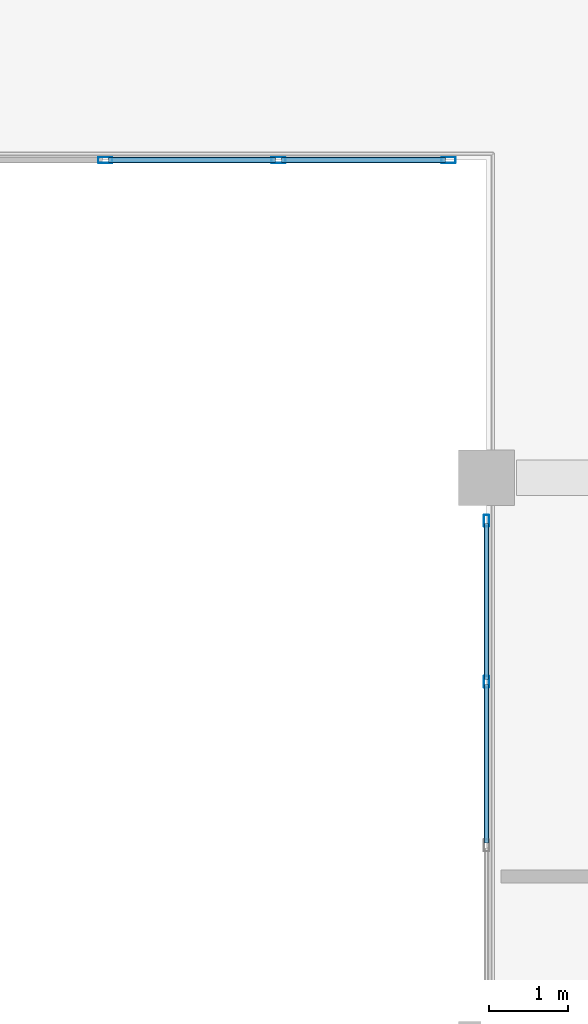
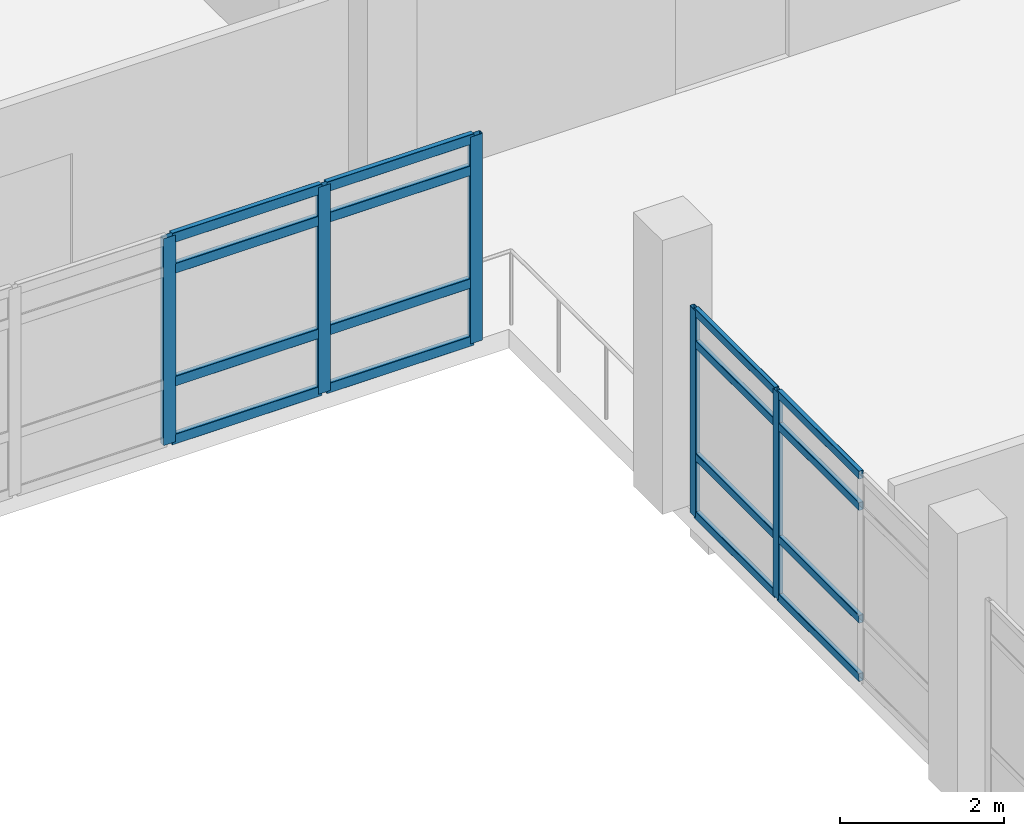
# One storey, part 47 of 134: 21 members, 2 elements without a shape of their own.
"""IFC4 building model written with IfcOpenShell, lengths in metres."""

from ifc_helpers import new_model, si_unit, direction, frame, origin, origin_2d, place, context, subcontext, project, spatial, hollow_rectangle, extrude, material, layer, layer_set, material_profile, profile_set, type_object, element, aggregate, save


model = new_model("IFC4")

# Units and contexts
model_context = context("Model", 3, precision=1e-05, world=origin(), true_north=direction((0.0, 1.0)))
body_context = subcontext(model_context, "Body", "Model", "MODEL_VIEW")
ifc_project = project(units=[si_unit("LENGTHUNIT", "METRE"), si_unit("AREAUNIT", "SQUARE_METRE"), si_unit("VOLUMEUNIT", "CUBIC_METRE"), si_unit("PLANEANGLEUNIT", "RADIAN"), si_unit("MASSUNIT", "GRAM", prefix="KILO")], contexts=[model_context])

# Site, building, storey
site_placement = place(None, origin())
site = spatial("IfcSite", under=ifc_project, at=site_placement, CompositionType="ELEMENT")
building_placement = place(site_placement, origin())
building = spatial("IfcBuilding", under=site, at=building_placement, Name="Asteropetra Specialist Clinic", CompositionType="ELEMENT")
storey_placement = place(building_placement, frame((0.0, 0.0, 8.5)))
storey = spatial("IfcBuildingStorey", under=building, at=storey_placement, Name="L02", CompositionType="ELEMENT", Elevation=8.5)

# Curtain wall, members
ifc_material_1 = material(Name="Aluminium and low-E glass", Category="aluminium")
ifc_layer_1 = layer(ifc_material_1, 0.135009765625)
ifc_layer_set_1 = layer_set([ifc_layer_1], Name="Aluminium and low-E glass")
curtain_wall_type_1 = type_object("IfcCurtainWallType", Name="CW-SYS-06", PredefinedType="USERDEFINED", material=ifc_layer_set_1)
curtain_wall_1_placement = place(storey_placement, origin())
curtain_wall_1 = element("IfcCurtainWall", 1, at=curtain_wall_1_placement, inside=storey, type_object=curtain_wall_type_1, Name="Curtain Wall CW-040", ObjectType="UNITISED CURTAIN WALL", PredefinedType="USERDEFINED")
ifc_material_2 = material(Name="Aluminium 6063-T6", Category="aluminium")
ifc_material_profile_1 = material_profile(ifc_material_2, hollow_rectangle(XDim=0.06494140625, YDim=0.14990234375, WallThickness=0.00390625, InnerFilletRadius=0.00390625, OuterFilletRadius=0.008056640625, at=origin_2d()), Name="MUL 150x65x4.0")
ifc_profile_set_1 = profile_set([ifc_material_profile_1], Name="Aluminium 6063-T6")
member_type_1 = type_object("IfcMemberType", Name="CWM-150x65", PredefinedType="MULLION", material=ifc_profile_set_1)
member_1_placement = place(storey_placement, frame((28.800048828125, 88.6298828125, 0.0), z_axis=(0.0, 0.0, 1.0), x_axis=(-1.0, 0.0, 0.0)))
member_1 = element("IfcMember", 2, at=member_1_placement, type_object=member_type_1, Name="CW-040 mullion 3", PredefinedType="MULLION", context=body_context, shape_type="SweptSolid", body=[
    extrude(hollow_rectangle(XDim=0.06494140625, YDim=0.14990234375, WallThickness=0.00390625, InnerFilletRadius=0.00390625, OuterFilletRadius=0.008056640625, at=origin_2d()), origin(), (0.0, 0.0, 1.0), 3.080078125),
])
member_2_placement = place(storey_placement, frame((28.800048828125, 90.657470703125, 0.0), z_axis=(0.0, 0.0, 1.0), x_axis=(-1.0, 0.0, 0.0)))
member_2 = element("IfcMember", 3, at=member_2_placement, type_object=member_type_1, Name="CW-040 mullion 4", PredefinedType="MULLION", context=body_context, shape_type="SweptSolid", body=[
    extrude(hollow_rectangle(XDim=0.06494140625, YDim=0.14990234375, WallThickness=0.00390625, InnerFilletRadius=0.00390625, OuterFilletRadius=0.008056640625, at=origin_2d()), origin(), (0.0, 0.0, 1.0), 3.080078125),
])

ifc_material_3 = material(Name="Aluminium and low-E glass", Category="aluminium")
ifc_layer_2 = layer(ifc_material_3, 0.179931640625)
ifc_layer_set_2 = layer_set([ifc_layer_2], Name="Aluminium and low-E glass")
curtain_wall_type_2 = type_object("IfcCurtainWallType", Name="CW-SYS-04", PredefinedType="USERDEFINED", material=ifc_layer_set_2)
curtain_wall_2_placement = place(storey_placement, origin())
curtain_wall_2 = element("IfcCurtainWall", 4, at=curtain_wall_2_placement, inside=storey, type_object=curtain_wall_type_2, Name="Curtain Wall CW-036", ObjectType="UNITISED CURTAIN WALL", PredefinedType="USERDEFINED")
ifc_material_4 = material(Name="Aluminium 6063-T6", Category="aluminium")
ifc_material_profile_2 = material_profile(ifc_material_4, hollow_rectangle(XDim=0.074951171875, YDim=0.179931640625, WallThickness=0.00390625, InnerFilletRadius=0.00390625, OuterFilletRadius=0.008056640625, at=origin_2d()), Name="MUL 180x75x4.0")
ifc_profile_set_2 = profile_set([ifc_material_profile_2], Name="Aluminium 6063-T6")
member_type_2 = type_object("IfcMemberType", Name="CWM-180x75", PredefinedType="MULLION", material=ifc_profile_set_2)
member_3_placement = place(storey_placement, frame((28.322509765625, 95.199951171875, 0.0), z_axis=(0.0, 0.0, 1.0), x_axis=(0.0, -1.0, 0.0)))
member_3 = element("IfcMember", 5, at=member_3_placement, type_object=member_type_2, Name="CW-036 mullion 1", PredefinedType="MULLION", context=body_context, shape_type="SweptSolid", body=[
    extrude(hollow_rectangle(XDim=0.074951171875, YDim=0.179931640625, WallThickness=0.00390625, InnerFilletRadius=0.00390625, OuterFilletRadius=0.008056640625, at=origin_2d()), origin(), (0.0, 0.0, 1.0), 3.080078125),
])
member_4_placement = place(storey_placement, frame((26.179931640625, 95.199951171875, 0.0), z_axis=(0.0, 0.0, 1.0), x_axis=(0.0, -1.0, 0.0)))
member_4 = element("IfcMember", 6, at=member_4_placement, type_object=member_type_2, Name="CW-036 mullion 2", PredefinedType="MULLION", context=body_context, shape_type="SweptSolid", body=[
    extrude(hollow_rectangle(XDim=0.074951171875, YDim=0.179931640625, WallThickness=0.00390625, InnerFilletRadius=0.00390625, OuterFilletRadius=0.008056640625, at=origin_2d()), origin(), (0.0, 0.0, 1.0), 3.080078125),
])
member_5_placement = place(storey_placement, frame((24.0, 95.199951171875, 0.0), z_axis=(0.0, 0.0, 1.0), x_axis=(0.0, -1.0, 0.0)))
member_5 = element("IfcMember", 7, at=member_5_placement, type_object=member_type_2, Name="CW-036 mullion 3", PredefinedType="MULLION", context=body_context, shape_type="SweptSolid", body=[
    extrude(hollow_rectangle(XDim=0.074951171875, YDim=0.179931640625, WallThickness=0.00390625, InnerFilletRadius=0.00390625, OuterFilletRadius=0.008056640625, at=origin_2d()), origin(), (0.0, 0.0, 1.0), 3.080078125),
])

# Member
ifc_material_5 = material(Name="Aluminium 6063-T6", Category="aluminium")
ifc_material_profile_3 = material_profile(ifc_material_5, hollow_rectangle(XDim=0.06494140625, YDim=0.1201171875, WallThickness=0.00390625, InnerFilletRadius=0.00390625, OuterFilletRadius=0.008056640625, at=origin_2d()), Name="TRN 120x65x4.0")
ifc_profile_set_3 = profile_set([ifc_material_profile_3], Name="Aluminium 6063-T6")
member_type_3 = type_object("IfcMemberType", Name="CWT-120x65", PredefinedType="USERDEFINED", material=ifc_profile_set_3)
member_6_placement = place(storey_placement, frame((28.800048828125, 86.6025390625, 0.032470703125), z_axis=(0.0, 1.0, 0.0), x_axis=(-1.0, 0.0, 0.0)))
member_6 = element("IfcMember", 8, at=member_6_placement, type_object=member_type_3, Name="CW-040 transom 2.1", ObjectType="TRANSOM", PredefinedType="USERDEFINED", context=body_context, shape_type="SweptSolid", body=[
    extrude(hollow_rectangle(XDim=0.06494140625, YDim=0.1201171875, WallThickness=0.00390625, InnerFilletRadius=0.00390625, OuterFilletRadius=0.008056640625, at=origin_2d()), origin(), (0.0, 0.0, 1.0), 1.994873046875),
])

member_7_placement = place(storey_placement, frame((28.800048828125, 86.6025390625, 0.89990234375), z_axis=(0.0, 1.0, 0.0), x_axis=(-1.0, 0.0, 0.0)))
member_7 = element("IfcMember", 9, at=member_7_placement, type_object=member_type_3, Name="CW-040 transom 2.2", ObjectType="TRANSOM", PredefinedType="USERDEFINED", context=body_context, shape_type="SweptSolid", body=[
    extrude(hollow_rectangle(XDim=0.06494140625, YDim=0.1201171875, WallThickness=0.00390625, InnerFilletRadius=0.00390625, OuterFilletRadius=0.008056640625, at=origin_2d()), origin(), (0.0, 0.0, 1.0), 1.994873046875),
])

member_8_placement = place(storey_placement, frame((28.800048828125, 86.6025390625, 2.580078125), z_axis=(0.0, 1.0, 0.0), x_axis=(-1.0, 0.0, 0.0)))
member_8 = element("IfcMember", 10, at=member_8_placement, type_object=member_type_3, Name="CW-040 transom 2.3", ObjectType="TRANSOM", PredefinedType="USERDEFINED", context=body_context, shape_type="SweptSolid", body=[
    extrude(hollow_rectangle(XDim=0.06494140625, YDim=0.1201171875, WallThickness=0.00390625, InnerFilletRadius=0.00390625, OuterFilletRadius=0.008056640625, at=origin_2d()), origin(), (0.0, 0.0, 1.0), 1.994873046875),
])

member_9_placement = place(storey_placement, frame((28.800048828125, 86.6025390625, 3.047607421875), z_axis=(0.0, 1.0, 0.0), x_axis=(-1.0, 0.0, 0.0)))
member_9 = element("IfcMember", 11, at=member_9_placement, type_object=member_type_3, Name="CW-040 transom 2.4", ObjectType="TRANSOM", PredefinedType="USERDEFINED", context=body_context, shape_type="SweptSolid", body=[
    extrude(hollow_rectangle(XDim=0.06494140625, YDim=0.1201171875, WallThickness=0.00390625, InnerFilletRadius=0.00390625, OuterFilletRadius=0.008056640625, at=origin_2d()), origin(), (0.0, 0.0, 1.0), 1.994873046875),
])

member_10_placement = place(storey_placement, frame((28.800048828125, 88.66259765625, 0.032470703125), z_axis=(0.0, 1.0, 0.0), x_axis=(-1.0, 0.0, 0.0)))
member_10 = element("IfcMember", 12, at=member_10_placement, type_object=member_type_3, Name="CW-040 transom 3.1", ObjectType="TRANSOM", PredefinedType="USERDEFINED", context=body_context, shape_type="SweptSolid", body=[
    extrude(hollow_rectangle(XDim=0.06494140625, YDim=0.1201171875, WallThickness=0.00390625, InnerFilletRadius=0.00390625, OuterFilletRadius=0.008056640625, at=origin_2d()), origin(), (0.0, 0.0, 1.0), 1.96240234375),
])

member_11_placement = place(storey_placement, frame((28.800048828125, 88.66259765625, 0.89990234375), z_axis=(0.0, 1.0, 0.0), x_axis=(-1.0, 0.0, 0.0)))
member_11 = element("IfcMember", 13, at=member_11_placement, type_object=member_type_3, Name="CW-040 transom 3.2", ObjectType="TRANSOM", PredefinedType="USERDEFINED", context=body_context, shape_type="SweptSolid", body=[
    extrude(hollow_rectangle(XDim=0.06494140625, YDim=0.1201171875, WallThickness=0.00390625, InnerFilletRadius=0.00390625, OuterFilletRadius=0.008056640625, at=origin_2d()), origin(), (0.0, 0.0, 1.0), 1.96240234375),
])

member_12_placement = place(storey_placement, frame((28.800048828125, 88.66259765625, 2.580078125), z_axis=(0.0, 1.0, 0.0), x_axis=(-1.0, 0.0, 0.0)))
member_12 = element("IfcMember", 14, at=member_12_placement, type_object=member_type_3, Name="CW-040 transom 3.3", ObjectType="TRANSOM", PredefinedType="USERDEFINED", context=body_context, shape_type="SweptSolid", body=[
    extrude(hollow_rectangle(XDim=0.06494140625, YDim=0.1201171875, WallThickness=0.00390625, InnerFilletRadius=0.00390625, OuterFilletRadius=0.008056640625, at=origin_2d()), origin(), (0.0, 0.0, 1.0), 1.96240234375),
])

member_13_placement = place(storey_placement, frame((28.800048828125, 88.66259765625, 3.047607421875), z_axis=(0.0, 1.0, 0.0), x_axis=(-1.0, 0.0, 0.0)))
member_13 = element("IfcMember", 15, at=member_13_placement, type_object=member_type_3, Name="CW-040 transom 3.4", ObjectType="TRANSOM", PredefinedType="USERDEFINED", context=body_context, shape_type="SweptSolid", body=[
    extrude(hollow_rectangle(XDim=0.06494140625, YDim=0.1201171875, WallThickness=0.00390625, InnerFilletRadius=0.00390625, OuterFilletRadius=0.008056640625, at=origin_2d()), origin(), (0.0, 0.0, 1.0), 1.96240234375),
])

aggregate(curtain_wall_1, [member_1, member_2, member_6, member_7, member_8, member_9, member_10, member_11, member_12, member_13])

ifc_material_6 = material(Name="Aluminium 6063-T6", Category="aluminium")
ifc_material_profile_4 = material_profile(ifc_material_6, hollow_rectangle(XDim=0.074951171875, YDim=0.14990234375, WallThickness=0.00390625, InnerFilletRadius=0.00390625, OuterFilletRadius=0.008056640625, at=origin_2d()), Name="TRN 150x75x4.0")
ifc_profile_set_4 = profile_set([ifc_material_profile_4], Name="Aluminium 6063-T6")
member_type_4 = type_object("IfcMemberType", Name="CWT-150x75", PredefinedType="USERDEFINED", material=ifc_profile_set_4)
member_14_placement = place(storey_placement, frame((28.284912109375, 95.199951171875, 0.03759765625), z_axis=(-1.0, 0.0, 0.0), x_axis=(0.0, -1.0, 0.0)))
member_14 = element("IfcMember", 16, at=member_14_placement, type_object=member_type_4, Name="CW-036 transom 1.1", ObjectType="TRANSOM", PredefinedType="USERDEFINED", context=body_context, shape_type="SweptSolid", body=[
    extrude(hollow_rectangle(XDim=0.074951171875, YDim=0.14990234375, WallThickness=0.00390625, InnerFilletRadius=0.00390625, OuterFilletRadius=0.008056640625, at=origin_2d()), origin(), (0.0, 0.0, 1.0), 2.0673828125),
])

member_15_placement = place(storey_placement, frame((28.284912109375, 95.199951171875, 0.89990234375), z_axis=(-1.0, 0.0, 0.0), x_axis=(0.0, -1.0, 0.0)))
member_15 = element("IfcMember", 17, at=member_15_placement, type_object=member_type_4, Name="CW-036 transom 1.2", ObjectType="TRANSOM", PredefinedType="USERDEFINED", context=body_context, shape_type="SweptSolid", body=[
    extrude(hollow_rectangle(XDim=0.074951171875, YDim=0.14990234375, WallThickness=0.00390625, InnerFilletRadius=0.00390625, OuterFilletRadius=0.008056640625, at=origin_2d()), origin(), (0.0, 0.0, 1.0), 2.0673828125),
])

member_16_placement = place(storey_placement, frame((28.284912109375, 95.199951171875, 2.580078125), z_axis=(-1.0, 0.0, 0.0), x_axis=(0.0, -1.0, 0.0)))
member_16 = element("IfcMember", 18, at=member_16_placement, type_object=member_type_4, Name="CW-036 transom 1.3", ObjectType="TRANSOM", PredefinedType="USERDEFINED", context=body_context, shape_type="SweptSolid", body=[
    extrude(hollow_rectangle(XDim=0.074951171875, YDim=0.14990234375, WallThickness=0.00390625, InnerFilletRadius=0.00390625, OuterFilletRadius=0.008056640625, at=origin_2d()), origin(), (0.0, 0.0, 1.0), 2.0673828125),
])

member_17_placement = place(storey_placement, frame((28.284912109375, 95.199951171875, 3.04248046875), z_axis=(-1.0, 0.0, 0.0), x_axis=(0.0, -1.0, 0.0)))
member_17 = element("IfcMember", 19, at=member_17_placement, type_object=member_type_4, Name="CW-036 transom 1.4", ObjectType="TRANSOM", PredefinedType="USERDEFINED", context=body_context, shape_type="SweptSolid", body=[
    extrude(hollow_rectangle(XDim=0.074951171875, YDim=0.14990234375, WallThickness=0.00390625, InnerFilletRadius=0.00390625, OuterFilletRadius=0.008056640625, at=origin_2d()), origin(), (0.0, 0.0, 1.0), 2.0673828125),
])

member_18_placement = place(storey_placement, frame((26.142578125, 95.199951171875, 0.03759765625), z_axis=(-1.0, 0.0, 0.0), x_axis=(0.0, -1.0, 0.0)))
member_18 = element("IfcMember", 20, at=member_18_placement, type_object=member_type_4, Name="CW-036 transom 2.1", ObjectType="TRANSOM", PredefinedType="USERDEFINED", context=body_context, shape_type="SweptSolid", body=[
    extrude(hollow_rectangle(XDim=0.074951171875, YDim=0.14990234375, WallThickness=0.00390625, InnerFilletRadius=0.00390625, OuterFilletRadius=0.008056640625, at=origin_2d()), origin(), (0.0, 0.0, 1.0), 2.10498046875),
])

member_19_placement = place(storey_placement, frame((26.142578125, 95.199951171875, 0.89990234375), z_axis=(-1.0, 0.0, 0.0), x_axis=(0.0, -1.0, 0.0)))
member_19 = element("IfcMember", 21, at=member_19_placement, type_object=member_type_4, Name="CW-036 transom 2.2", ObjectType="TRANSOM", PredefinedType="USERDEFINED", context=body_context, shape_type="SweptSolid", body=[
    extrude(hollow_rectangle(XDim=0.074951171875, YDim=0.14990234375, WallThickness=0.00390625, InnerFilletRadius=0.00390625, OuterFilletRadius=0.008056640625, at=origin_2d()), origin(), (0.0, 0.0, 1.0), 2.10498046875),
])

member_20_placement = place(storey_placement, frame((26.142578125, 95.199951171875, 2.580078125), z_axis=(-1.0, 0.0, 0.0), x_axis=(0.0, -1.0, 0.0)))
member_20 = element("IfcMember", 22, at=member_20_placement, type_object=member_type_4, Name="CW-036 transom 2.3", ObjectType="TRANSOM", PredefinedType="USERDEFINED", context=body_context, shape_type="SweptSolid", body=[
    extrude(hollow_rectangle(XDim=0.074951171875, YDim=0.14990234375, WallThickness=0.00390625, InnerFilletRadius=0.00390625, OuterFilletRadius=0.008056640625, at=origin_2d()), origin(), (0.0, 0.0, 1.0), 2.10498046875),
])

member_21_placement = place(storey_placement, frame((26.142578125, 95.199951171875, 3.04248046875), z_axis=(-1.0, 0.0, 0.0), x_axis=(0.0, -1.0, 0.0)))
member_21 = element("IfcMember", 23, at=member_21_placement, type_object=member_type_4, Name="CW-036 transom 2.4", ObjectType="TRANSOM", PredefinedType="USERDEFINED", context=body_context, shape_type="SweptSolid", body=[
    extrude(hollow_rectangle(XDim=0.074951171875, YDim=0.14990234375, WallThickness=0.00390625, InnerFilletRadius=0.00390625, OuterFilletRadius=0.008056640625, at=origin_2d()), origin(), (0.0, 0.0, 1.0), 2.10498046875),
])

aggregate(curtain_wall_2, [member_3, member_4, member_5, member_14, member_15, member_16, member_17, member_18, member_19, member_20, member_21])

save(model, "model.ifc")
